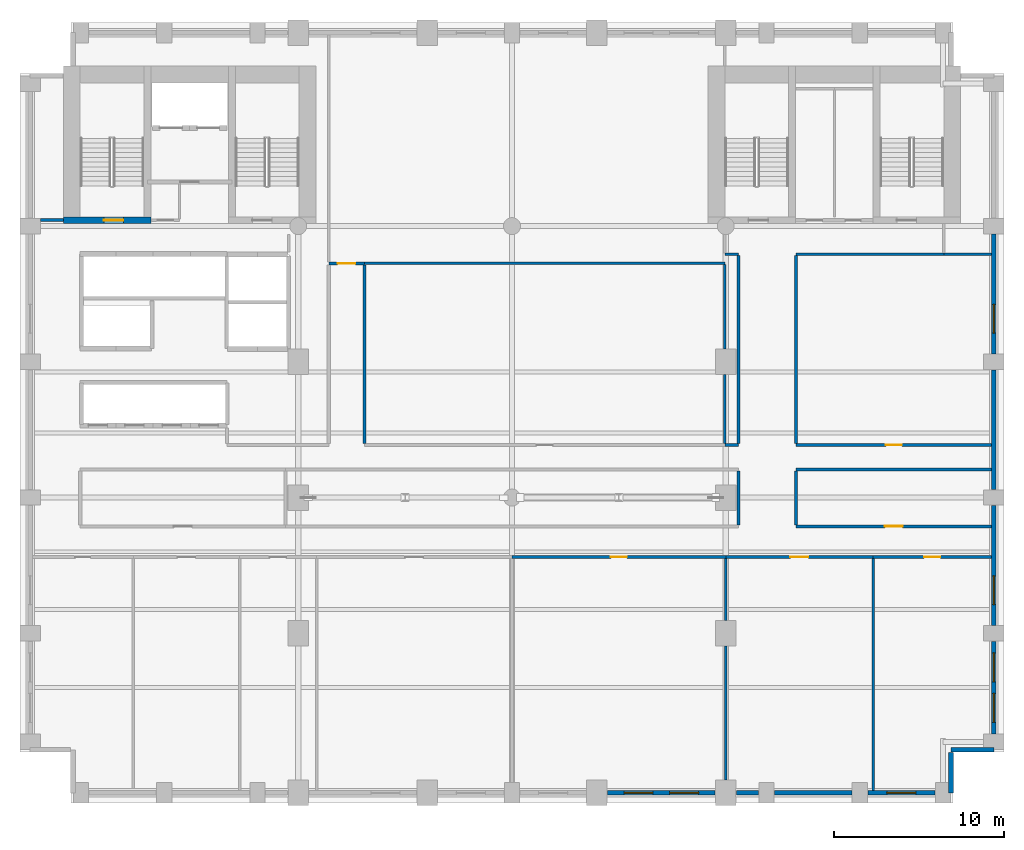
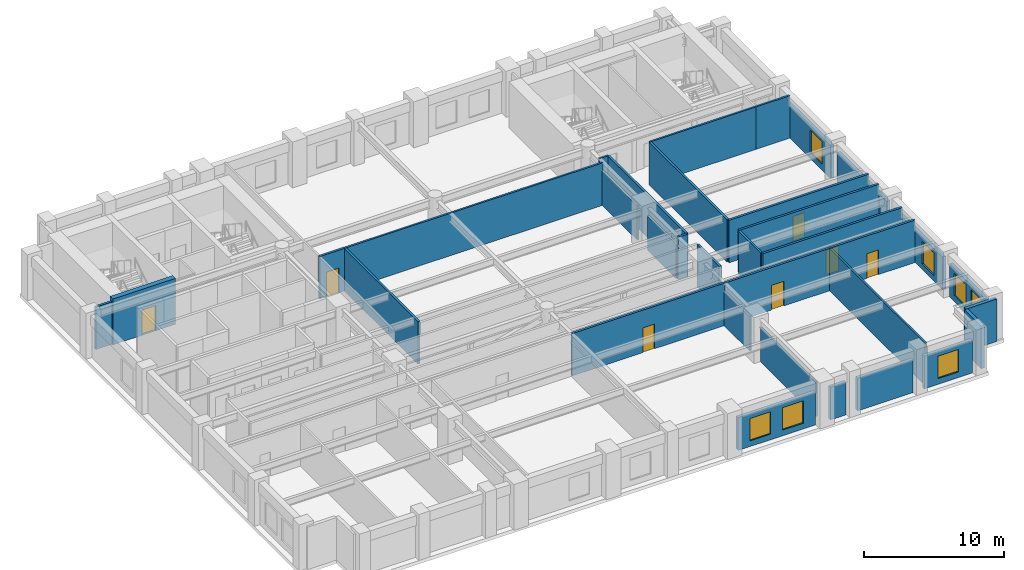
# One storey, part 6 of 10: 34 walls, 7 doors, 7 windows, 14 openings.
"""IFC4 building model written with IfcOpenShell, lengths in metres."""

from ifc_helpers import new_model, si_unit, direction, frame, frame_2d, origin, place, context, subcontext, project, spatial, rectangle, extrude, material, layer, layer_set, type_object, element, fill, save


model = new_model("IFC4")

# Units and contexts
model_context = context("Model", 3, precision=1e-05, world=origin(), true_north=direction((0.0, 1.0)))
body_context = subcontext(model_context, "Body", "Model", "MODEL_VIEW")
ifc_project = project(units=[si_unit("LENGTHUNIT", "METRE"), si_unit("AREAUNIT", "SQUARE_METRE"), si_unit("VOLUMEUNIT", "CUBIC_METRE"), si_unit("PLANEANGLEUNIT", "RADIAN"), si_unit("MASSUNIT", "GRAM", prefix="KILO")], contexts=[model_context])

# Site, building, storey
site_placement = place(None, origin())
site = spatial("IfcSite", under=ifc_project, at=site_placement, CompositionType="ELEMENT")
building_placement = place(site_placement, origin())
building = spatial("IfcBuilding", under=site, at=building_placement, Name="Sulina Concourse Tower", CompositionType="ELEMENT")
storey_placement = place(building_placement, frame((0.0, 0.0, 54.60009765625)))
storey = spatial("IfcBuildingStorey", under=building, at=storey_placement, Name="L13", CompositionType="ELEMENT", Elevation=54.60009765625)

# Walls
ifc_material_1 = material(Name="Gypsum board on steel stud", Category="steel")
ifc_layer_1 = layer(ifc_material_1, 0.14990234375)
ifc_layer_set_1 = layer_set([ifc_layer_1], Name="Gypsum board on steel stud")
wall_type_1 = type_object("IfcWallType", Name="Inter-Tenancy Acoustic Partition 150mm", PredefinedType="PARTITIONING", material=ifc_layer_set_1)
wall_1_placement = place(storey_placement, frame((20.300048828125, 31.800048828125, 0.0), z_axis=(0.0, 0.0, 1.0), x_axis=(1.0, 0.0, 0.0)))
element("IfcWall", 1, at=wall_1_placement, inside=storey, type_object=wall_type_1, Name="L13 interior partition 019", PredefinedType="PARTITIONING", context=body_context, shape_type="SweptSolid", body=[
    extrude(rectangle(XDim=21.25, YDim=0.14990234375, at=frame_2d((10.625, 0.0))), origin(), (0.0, 0.0, 1.0), 3.699951171875),
])
wall_2_placement = place(storey_placement, frame((41.550048828125, 32.35009765625, 0.0), z_axis=(0.0, 0.0, 1.0), x_axis=(1.0, 0.0, 0.0)))
element("IfcWall", 2, at=wall_2_placement, inside=storey, type_object=wall_type_1, Name="L13 interior partition 020", PredefinedType="PARTITIONING", context=body_context, shape_type="SweptSolid", body=[
    extrude(rectangle(XDim=0.800048828125, YDim=0.14990234375, at=frame_2d((0.39990234375, 0.0))), origin(), (0.0, 0.0, 1.0), 3.699951171875),
])
wall_3_placement = place(storey_placement, frame((45.75, 32.35009765625, 0.0), z_axis=(0.0, 0.0, 1.0), x_axis=(1.0, 0.0, 0.0)))
element("IfcWall", 3, at=wall_3_placement, inside=storey, type_object=wall_type_1, Name="L13 interior partition 021", PredefinedType="PARTITIONING", context=body_context, shape_type="SweptSolid", body=[
    extrude(rectangle(XDim=8.699951171875, YDim=0.14990234375, at=frame_2d((4.35009765625, 0.0))), origin(), (0.0, 0.0, 1.0), 3.699951171875),
])
wall_4_placement = place(storey_placement, frame((54.449951171875, 32.35009765625, 0.0), z_axis=(0.0, 0.0, 1.0), x_axis=(1.0, 0.0, 0.0)))
element("IfcWall", 4, at=wall_4_placement, inside=storey, type_object=wall_type_1, Name="L13 interior partition 022", PredefinedType="PARTITIONING", context=body_context, shape_type="SweptSolid", body=[
    extrude(rectangle(XDim=2.81005859375, YDim=0.14990234375, at=frame_2d((1.405029296875, 0.0))), origin(), (0.0, 0.0, 1.0), 3.699951171875),
])
wall_5_placement = place(storey_placement, frame((41.550048828125, 21.18994140625, 0.0), z_axis=(0.0, 0.0, 1.0), x_axis=(0.0, 1.0, 0.0)))
element("IfcWall", 5, at=wall_5_placement, inside=storey, type_object=wall_type_1, Name="L13 interior partition 039", PredefinedType="PARTITIONING", context=body_context, shape_type="SweptSolid", body=[
    extrude(rectangle(XDim=4.06005859375, YDim=0.14990234375, at=frame_2d((2.030029296875, 0.0))), origin(), (0.0, 0.0, 1.0), 2.994873046875),
])
wall_6_placement = place(storey_placement, frame((41.550048828125, 26.75, 0.0), z_axis=(0.0, 0.0, 1.0), x_axis=(0.0, 1.0, 0.0)))
element("IfcWall", 6, at=wall_6_placement, inside=storey, type_object=wall_type_1, Name="L13 interior partition 040", PredefinedType="PARTITIONING", context=body_context, shape_type="SweptSolid", body=[
    extrude(rectangle(XDim=4.97509765625, YDim=0.14990234375, at=frame_2d((2.487548828125, 0.0))), origin(), (0.0, 0.0, 1.0), 2.994873046875),
])
wall_7_placement = place(storey_placement, frame((41.60009765625, 1.35009765625, 0.0), z_axis=(0.0, 0.0, 1.0), x_axis=(0.0, 1.0, 0.0)))
element("IfcWall", 7, at=wall_7_placement, inside=storey, type_object=wall_type_1, Name="L13 interior partition 043", PredefinedType="PARTITIONING", context=body_context, shape_type="SweptSolid", body=[
    extrude(rectangle(XDim=7.89990234375, YDim=0.14990234375, at=frame_2d((3.949951171875, 0.0))), origin(), (0.0, 0.0, 1.0), 2.994873046875),
])
wall_8_placement = place(storey_placement, frame((41.60009765625, 10.75, 0.0), z_axis=(0.0, 0.0, 1.0), x_axis=(0.0, 1.0, 0.0)))
element("IfcWall", 8, at=wall_8_placement, inside=storey, type_object=wall_type_1, Name="L13 interior partition 044", PredefinedType="PARTITIONING", context=body_context, shape_type="SweptSolid", body=[
    extrude(rectangle(XDim=3.659912109375, YDim=0.14990234375, at=frame_2d((1.830078125, 0.0))), origin(), (0.0, 0.0, 1.0), 2.994873046875),
])
wall_9_placement = place(storey_placement, frame((50.280029296875, 0.739990234375, 0.0), z_axis=(0.0, 0.0, 1.0), x_axis=(0.0, 1.0, 0.0)))
element("IfcWall", 9, at=wall_9_placement, inside=storey, type_object=wall_type_1, Name="L13 interior partition 050", PredefinedType="PARTITIONING", context=body_context, shape_type="SweptSolid", body=[
    extrude(rectangle(XDim=13.669921875, YDim=0.14990234375, at=frame_2d((6.8349609375, 0.0))), origin(), (0.0, 0.0, 1.0), 3.699951171875),
])

# Wall, opening, door
ifc_material_2 = material(Name="Gypsum board on steel stud", Category="steel")
ifc_layer_2 = layer(ifc_material_2, 0.179931640625)
ifc_layer_set_2 = layer_set([ifc_layer_2], Name="Gypsum board on steel stud")
wall_type_2 = type_object("IfcWallType", Name="Protected Corridor & Riser Partition 180mm", PredefinedType="PARTITIONING", material=ifc_layer_set_2)
wall_10_placement = place(storey_placement, frame((29.0, 14.5, 0.0), z_axis=(0.0, 0.0, 1.0), x_axis=(1.0, 0.0, 0.0)))
wall_10 = element("IfcWall", 10, at=wall_10_placement, inside=storey, type_object=wall_type_2, Name="L13 interior partition 005", PredefinedType="PARTITIONING", context=body_context, shape_type="SweptSolid", body=[
    extrude(rectangle(XDim=12.60009765625, YDim=0.179931640625, at=frame_2d((6.300048828125, 0.0))), origin(), (0.0, 0.0, 1.0), 3.699951171875),
])
opening_1_placement = place(wall_10_placement, frame((5.824951171875, 0.0, 0.0)))
opening_1 = element("IfcOpeningElement", 11, at=opening_1_placement, cuts=wall_10, Name="Opening DR-19", PredefinedType="OPENING", context=body_context, shape_type="SweptSolid", body=[
    extrude(rectangle(XDim=0.949951171875, YDim=2.14990234375, at=frame_2d((0.47509765625, 1.074951171875))), frame((0.0, 0.099853515625, 0.0), z_axis=(0.0, -1.0, 0.0), x_axis=(1.0, 0.0, 0.0)), (0.0, 0.0, 1.0), 0.199951171875),
])
ifc_material_3 = material(Name="Oak-veneered acoustic timber leaf", Category="wood")
ifc_layer_3 = layer(ifc_material_3, 0.050048828125)
ifc_layer_set_3 = layer_set([ifc_layer_3], Name="Oak-veneered acoustic timber leaf")
door_type_1 = type_object("IfcDoorType", Name="Cellular Office & Meeting Door 950x2150", OperationType="NOTDEFINED", PredefinedType="DOOR", material=ifc_layer_set_3)
door_1_placement = place(opening_1_placement, origin())
door_1 = element("IfcDoor", 12, at=door_1_placement, inside=storey, type_object=door_type_1, Name="L13 interior door L13-S04", OperationType="SINGLE_SWING_LEFT", OverallHeight=2.14990234375, OverallWidth=0.949951171875, PredefinedType="DOOR", context=body_context, shape_type="SweptSolid", body=[
    extrude(rectangle(XDim=0.949951171875, YDim=2.14990234375, at=frame_2d((0.47509765625, 1.074951171875))), frame((0.0, 0.02490234375, 0.0), z_axis=(0.0, -1.0, 0.0), x_axis=(1.0, 0.0, 0.0)), (0.0, 0.0, 1.0), 0.050048828125),
])
fill(opening_1, door_1)

wall_11_placement = place(storey_placement, frame((41.60009765625, 14.5, 0.0), z_axis=(0.0, 0.0, 1.0), x_axis=(1.0, 0.0, 0.0)))
wall_11 = element("IfcWall", 13, at=wall_11_placement, inside=storey, type_object=wall_type_2, Name="L13 interior partition 006", PredefinedType="PARTITIONING", context=body_context, shape_type="SweptSolid", body=[
    extrude(rectangle(XDim=8.679931640625, YDim=0.179931640625, at=frame_2d((4.33984375, 0.0))), origin(), (0.0, 0.0, 1.0), 3.699951171875),
])
opening_2_placement = place(wall_11_placement, frame((3.81494140625, 0.0, 0.0)))
opening_2 = element("IfcOpeningElement", 14, at=opening_2_placement, cuts=wall_11, Name="Opening DR-37", PredefinedType="OPENING", context=body_context, shape_type="SweptSolid", body=[
    extrude(rectangle(XDim=1.050048828125, YDim=2.14990234375, at=frame_2d((0.52490234375, 1.074951171875))), frame((0.0, 0.099853515625, 0.0), z_axis=(0.0, -1.0, 0.0), x_axis=(1.0, 0.0, 0.0)), (0.0, 0.0, 1.0), 0.199951171875),
])
ifc_material_4 = material(Name="Oak-veneered fire door leaf")
ifc_layer_4 = layer(ifc_material_4, 0.050048828125)
ifc_layer_set_4 = layer_set([ifc_layer_4], Name="Oak-veneered fire door leaf")
door_type_2 = type_object("IfcDoorType", Name="Tenant Suite Entrance Fire Door 1050x2150", OperationType="NOTDEFINED", PredefinedType="DOOR", material=ifc_layer_set_4)
door_2_placement = place(opening_2_placement, origin())
door_2 = element("IfcDoor", 15, at=door_2_placement, inside=storey, type_object=door_type_2, Name="L13 interior door L13-S05", OperationType="SINGLE_SWING_RIGHT", OverallHeight=2.14990234375, OverallWidth=1.050048828125, PredefinedType="DOOR", context=body_context, shape_type="SweptSolid", body=[
    extrude(rectangle(XDim=1.050048828125, YDim=2.14990234375, at=frame_2d((0.52490234375, 1.074951171875))), frame((0.0, 0.02490234375, 0.0), z_axis=(0.0, -1.0, 0.0), x_axis=(1.0, 0.0, 0.0)), (0.0, 0.0, 1.0), 0.050048828125),
])
fill(opening_2, door_2)

wall_12_placement = place(storey_placement, frame((50.280029296875, 14.5, 0.0), z_axis=(0.0, 0.0, 1.0), x_axis=(1.0, 0.0, 0.0)))
wall_12 = element("IfcWall", 16, at=wall_12_placement, inside=storey, type_object=wall_type_2, Name="L13 interior partition 007", PredefinedType="PARTITIONING", context=body_context, shape_type="SweptSolid", body=[
    extrude(rectangle(XDim=6.97998046875, YDim=0.179931640625, at=frame_2d((3.489990234375, 0.0))), origin(), (0.0, 0.0, 1.0), 3.699951171875),
])
opening_3_placement = place(wall_12_placement, frame((3.014892578125, 0.0, 0.0)))
opening_3 = element("IfcOpeningElement", 17, at=opening_3_placement, cuts=wall_12, Name="Opening DR-19", PredefinedType="OPENING", context=body_context, shape_type="SweptSolid", body=[
    extrude(rectangle(XDim=0.949951171875, YDim=2.14990234375, at=frame_2d((0.47509765625, 1.074951171875))), frame((0.0, 0.099853515625, 0.0), z_axis=(0.0, -1.0, 0.0), x_axis=(1.0, 0.0, 0.0)), (0.0, 0.0, 1.0), 0.199951171875),
])
door_3_placement = place(opening_3_placement, origin())
door_3 = element("IfcDoor", 18, at=door_3_placement, inside=storey, type_object=door_type_1, Name="L13 interior door L13-S06", OperationType="SINGLE_SWING_LEFT", OverallHeight=2.14990234375, OverallWidth=0.949951171875, PredefinedType="DOOR", context=body_context, shape_type="SweptSolid", body=[
    extrude(rectangle(XDim=0.949951171875, YDim=2.14990234375, at=frame_2d((0.47509765625, 1.074951171875))), frame((0.0, 0.02490234375, 0.0), z_axis=(0.0, -1.0, 0.0), x_axis=(1.0, 0.0, 0.0)), (0.0, 0.0, 1.0), 0.050048828125),
])
fill(opening_3, door_3)

wall_13_placement = place(storey_placement, frame((45.75, 16.300048828125, 0.0), z_axis=(0.0, 0.0, 1.0), x_axis=(1.0, 0.0, 0.0)))
wall_13 = element("IfcWall", 19, at=wall_13_placement, inside=storey, type_object=wall_type_2, Name="L13 interior partition 010", PredefinedType="PARTITIONING", context=body_context, shape_type="SweptSolid", body=[
    extrude(rectangle(XDim=11.510009765625, YDim=0.179931640625, at=frame_2d((5.7548828125, 0.0))), origin(), (0.0, 0.0, 1.0), 3.699951171875),
])
opening_4_placement = place(wall_13_placement, frame((5.22998046875, 0.0, 0.0)))
opening_4 = element("IfcOpeningElement", 20, at=opening_4_placement, cuts=wall_13, Name="Opening DR-37", PredefinedType="OPENING", context=body_context, shape_type="SweptSolid", body=[
    extrude(rectangle(XDim=1.050048828125, YDim=2.14990234375, at=frame_2d((0.52490234375, 1.074951171875))), frame((0.0, 0.099853515625, 0.0), z_axis=(0.0, -1.0, 0.0), x_axis=(1.0, 0.0, 0.0)), (0.0, 0.0, 1.0), 0.199951171875),
])
door_4_placement = place(opening_4_placement, origin())
door_4 = element("IfcDoor", 21, at=door_4_placement, inside=storey, type_object=door_type_2, Name="L13 interior door L13-OFF-LBTE", OperationType="SINGLE_SWING_LEFT", OverallHeight=2.14990234375, OverallWidth=1.050048828125, PredefinedType="DOOR", context=body_context, shape_type="SweptSolid", body=[
    extrude(rectangle(XDim=1.050048828125, YDim=2.14990234375, at=frame_2d((0.52490234375, 1.074951171875))), frame((0.0, 0.02490234375, 0.0), z_axis=(0.0, -1.0, 0.0), x_axis=(1.0, 0.0, 0.0)), (0.0, 0.0, 1.0), 0.050048828125),
])
fill(opening_4, door_4)

# Walls
wall_14_placement = place(storey_placement, frame((45.75, 19.64990234375, 0.0), z_axis=(0.0, 0.0, 1.0), x_axis=(1.0, 0.0, 0.0)))
element("IfcWall", 22, at=wall_14_placement, inside=storey, type_object=wall_type_2, Name="L13 interior partition 013", PredefinedType="PARTITIONING", context=body_context, shape_type="SweptSolid", body=[
    extrude(rectangle(XDim=11.510009765625, YDim=0.179931640625, at=frame_2d((5.7548828125, 0.0))), origin(), (0.0, 0.0, 1.0), 3.699951171875),
])
wall_15_placement = place(storey_placement, frame((41.550048828125, 21.10009765625, 0.0), z_axis=(0.0, 0.0, 1.0), x_axis=(1.0, 0.0, 0.0)))
element("IfcWall", 23, at=wall_15_placement, inside=storey, type_object=wall_type_2, Name="L13 interior partition 016", PredefinedType="PARTITIONING", context=body_context, shape_type="SweptSolid", body=[
    extrude(rectangle(XDim=0.800048828125, YDim=0.179931640625, at=frame_2d((0.39990234375, 0.0))), origin(), (0.0, 0.0, 1.0), 3.699951171875),
])

# Wall, opening, door
wall_16_placement = place(storey_placement, frame((45.75, 21.10009765625, 0.0), z_axis=(0.0, 0.0, 1.0), x_axis=(1.0, 0.0, 0.0)))
wall_16 = element("IfcWall", 24, at=wall_16_placement, inside=storey, type_object=wall_type_2, Name="L13 interior partition 017", PredefinedType="PARTITIONING", context=body_context, shape_type="SweptSolid", body=[
    extrude(rectangle(XDim=11.510009765625, YDim=0.179931640625, at=frame_2d((5.7548828125, 0.0))), origin(), (0.0, 0.0, 1.0), 3.699951171875),
])
opening_5_placement = place(wall_16_placement, frame((5.280029296875, 0.0, 0.0)))
opening_5 = element("IfcOpeningElement", 25, at=opening_5_placement, cuts=wall_16, Name="Opening DR-19", PredefinedType="OPENING", context=body_context, shape_type="SweptSolid", body=[
    extrude(rectangle(XDim=0.949951171875, YDim=2.14990234375, at=frame_2d((0.47509765625, 1.074951171875))), frame((0.0, 0.099853515625, 0.0), z_axis=(0.0, -1.0, 0.0), x_axis=(1.0, 0.0, 0.0)), (0.0, 0.0, 1.0), 0.199951171875),
])
door_5_placement = place(opening_5_placement, origin())
door_5 = element("IfcDoor", 26, at=door_5_placement, inside=storey, type_object=door_type_1, Name="L13 interior door L13-NE1", OperationType="SINGLE_SWING_LEFT", OverallHeight=2.14990234375, OverallWidth=0.949951171875, PredefinedType="DOOR", context=body_context, shape_type="SweptSolid", body=[
    extrude(rectangle(XDim=0.949951171875, YDim=2.14990234375, at=frame_2d((0.47509765625, 1.074951171875))), frame((0.0, 0.02490234375, 0.0), z_axis=(0.0, -1.0, 0.0), x_axis=(1.0, 0.0, 0.0)), (0.0, 0.0, 1.0), 0.050048828125),
])
fill(opening_5, door_5)

wall_17_placement = place(storey_placement, frame((18.199951171875, 31.800048828125, 0.0), z_axis=(0.0, 0.0, 1.0), x_axis=(1.0, 0.0, 0.0)))
wall_17 = element("IfcWall", 27, at=wall_17_placement, inside=storey, type_object=wall_type_2, Name="L13 interior partition 018", PredefinedType="PARTITIONING", context=body_context, shape_type="SweptSolid", body=[
    extrude(rectangle(XDim=2.10009765625, YDim=0.179931640625, at=frame_2d((1.050048828125, 0.0))), origin(), (0.0, 0.0, 1.0), 3.699951171875),
])
opening_6_placement = place(wall_17_placement, frame((0.52490234375, 0.0, 0.0)))
opening_6 = element("IfcOpeningElement", 28, at=opening_6_placement, cuts=wall_17, Name="Opening DR-37", PredefinedType="OPENING", context=body_context, shape_type="SweptSolid", body=[
    extrude(rectangle(XDim=1.050048828125, YDim=2.14990234375, at=frame_2d((0.52490234375, 1.074951171875))), frame((0.0, 0.099853515625, 0.0), z_axis=(0.0, -1.0, 0.0), x_axis=(1.0, 0.0, 0.0)), (0.0, 0.0, 1.0), 0.199951171875),
])
door_6_placement = place(opening_6_placement, origin())
door_6 = element("IfcDoor", 29, at=door_6_placement, inside=storey, type_object=door_type_2, Name="L13 interior door L13-NC4", OperationType="SINGLE_SWING_RIGHT", OverallHeight=2.14990234375, OverallWidth=1.050048828125, PredefinedType="DOOR", context=body_context, shape_type="SweptSolid", body=[
    extrude(rectangle(XDim=1.050048828125, YDim=2.14990234375, at=frame_2d((0.52490234375, 1.074951171875))), frame((0.0, 0.02490234375, 0.0), z_axis=(0.0, -1.0, 0.0), x_axis=(1.0, 0.0, 0.0)), (0.0, 0.0, 1.0), 0.050048828125),
])
fill(opening_6, door_6)

# Walls
wall_18_placement = place(storey_placement, frame((1.199951171875, 34.35009765625, 0.0), z_axis=(0.0, 0.0, 1.0), x_axis=(1.0, 0.0, 0.0)))
element("IfcWall", 30, at=wall_18_placement, inside=storey, type_object=wall_type_2, Name="L13 interior partition 023", PredefinedType="PARTITIONING", context=body_context, shape_type="SweptSolid", body=[
    extrude(rectangle(XDim=1.35009765625, YDim=0.179931640625, at=frame_2d((0.675048828125, 0.0))), origin(), (0.0, 0.0, 1.0), 3.699951171875),
])
wall_19_placement = place(storey_placement, frame((20.300048828125, 21.18994140625, 0.0), z_axis=(0.0, 0.0, 1.0), x_axis=(0.0, 1.0, 0.0)))
element("IfcWall", 31, at=wall_19_placement, inside=storey, type_object=wall_type_2, Name="L13 interior partition 037", PredefinedType="PARTITIONING", context=body_context, shape_type="SweptSolid", body=[
    extrude(rectangle(XDim=10.52001953125, YDim=0.179931640625, at=frame_2d((5.260009765625, 0.0))), origin(), (0.0, 0.0, 1.0), 3.699951171875),
])
wall_20_placement = place(storey_placement, frame((42.35009765625, 16.389892578125, 0.0), z_axis=(0.0, 0.0, 1.0), x_axis=(0.0, 1.0, 0.0)))
element("IfcWall", 32, at=wall_20_placement, inside=storey, type_object=wall_type_2, Name="L13 interior partition 045", PredefinedType="PARTITIONING", context=body_context, shape_type="SweptSolid", body=[
    extrude(rectangle(XDim=3.170166015625, YDim=0.179931640625, at=frame_2d((1.5849609375, 0.0))), origin(), (0.0, 0.0, 1.0), 3.699951171875),
])
wall_21_placement = place(storey_placement, frame((42.35009765625, 21.18994140625, 0.0), z_axis=(0.0, 0.0, 1.0), x_axis=(0.0, 1.0, 0.0)))
element("IfcWall", 33, at=wall_21_placement, inside=storey, type_object=wall_type_2, Name="L13 interior partition 046", PredefinedType="PARTITIONING", context=body_context, shape_type="SweptSolid", body=[
    extrude(rectangle(XDim=11.0849609375, YDim=0.179931640625, at=frame_2d((5.54248046875, 0.0))), origin(), (0.0, 0.0, 1.0), 3.699951171875),
])
wall_22_placement = place(storey_placement, frame((45.75, 16.389892578125, 0.0), z_axis=(0.0, 0.0, 1.0), x_axis=(0.0, 1.0, 0.0)))
element("IfcWall", 34, at=wall_22_placement, inside=storey, type_object=wall_type_2, Name="L13 interior partition 047", PredefinedType="PARTITIONING", context=body_context, shape_type="SweptSolid", body=[
    extrude(rectangle(XDim=3.170166015625, YDim=0.179931640625, at=frame_2d((1.5849609375, 0.0))), origin(), (0.0, 0.0, 1.0), 3.699951171875),
])
wall_23_placement = place(storey_placement, frame((45.75, 21.18994140625, 0.0), z_axis=(0.0, 0.0, 1.0), x_axis=(0.0, 1.0, 0.0)))
element("IfcWall", 35, at=wall_23_placement, inside=storey, type_object=wall_type_2, Name="L13 interior partition 048", PredefinedType="PARTITIONING", context=body_context, shape_type="SweptSolid", body=[
    extrude(rectangle(XDim=11.0849609375, YDim=0.179931640625, at=frame_2d((5.54248046875, 0.0))), origin(), (0.0, 0.0, 1.0), 3.699951171875),
])

# Wall, opening, door
ifc_material_5 = material(Name="Concrete C60/75", Category="concrete")
ifc_layer_5 = layer(ifc_material_5, 0.39990234375)
ifc_layer_set_5 = layer_set([ifc_layer_5], Name="Concrete C60/75")
wall_type_3 = type_object("IfcWallType", Name="Protected Stair Core Shear Wall 400mm", PredefinedType="SHEAR", material=ifc_layer_set_5)
wall_24_placement = place(storey_placement, frame((2.550048828125, 34.35009765625, 0.0), z_axis=(0.0, 0.0, 1.0), x_axis=(1.0, 0.0, 0.0)))
wall_24 = element("IfcWall", 36, at=wall_24_placement, inside=storey, type_object=wall_type_3, Name="L13 west core shear wall CW-WS1", PredefinedType="SHEAR", context=body_context, shape_type="SweptSolid", body=[
    extrude(rectangle(XDim=5.159912109375, YDim=0.39990234375, at=frame_2d((2.580078125, 0.0))), origin(), (0.0, 0.0, 1.0), 4.0),
])
opening_7_placement = place(wall_24_placement, frame((2.39990234375, 0.0, 0.0)))
opening_7 = element("IfcOpeningElement", 37, at=opening_7_placement, cuts=wall_24, Name="Opening DR-60", PredefinedType="OPENING", context=body_context, shape_type="SweptSolid", body=[
    extrude(rectangle(XDim=1.14990234375, YDim=2.199951171875, at=frame_2d((0.574951171875, 1.10009765625))), frame((0.0, 0.2099609375, 0.0), z_axis=(0.0, -1.0, 0.0), x_axis=(1.0, 0.0, 0.0)), (0.0, 0.0, 1.0), 0.419921875),
])
ifc_material_6 = material(Name="Galvanised steel acoustic fire leaf", Category="steel")
ifc_layer_6 = layer(ifc_material_6, 0.054931640625)
ifc_layer_set_6 = layer_set([ifc_layer_6], Name="Galvanised steel acoustic fire leaf")
door_type_3 = type_object("IfcDoorType", Name="Protected Exit Stair Fire Door 1150x2200", OperationType="NOTDEFINED", PredefinedType="DOOR", material=ifc_layer_set_6)
door_7_placement = place(opening_7_placement, origin())
door_7 = element("IfcDoor", 38, at=door_7_placement, inside=storey, type_object=door_type_3, Name="L13 stair ST-1 lobby fire door", OperationType="SINGLE_SWING_RIGHT", OverallHeight=2.199951171875, OverallWidth=1.14990234375, PredefinedType="DOOR", context=body_context, shape_type="SweptSolid", body=[
    extrude(rectangle(XDim=1.14990234375, YDim=2.199951171875, at=frame_2d((0.574951171875, 1.10009765625))), frame((0.0, 0.02490234375, 0.0), z_axis=(0.0, -1.0, 0.0), x_axis=(1.0, 0.0, 0.0)), (0.0, 0.0, 1.0), 0.050048828125),
])
fill(opening_7, door_7)

# Wall, openings, windows
ifc_material_7 = material(Name="Precast concrete C50/60", Category="concrete")
ifc_layer_7 = layer(ifc_material_7, 0.280029296875)
ifc_layer_set_7 = layer_set([ifc_layer_7], Name="Precast concrete C50/60")
wall_type_4 = type_object("IfcWallType", Name="Typical Precast Masonry-Frame Facade Wall 280mm", PredefinedType="SOLIDWALL", material=ifc_layer_set_7)
wall_25_placement = place(storey_placement, frame((40.97998046875, 0.60009765625, 0.0), z_axis=(0.0, 0.0, 1.0), x_axis=(-1.0, 0.0, 0.0)))
wall_25 = element("IfcWall", 39, at=wall_25_placement, inside=storey, type_object=wall_type_4, Name="L13 exterior precast wall S7", PredefinedType="SOLIDWALL", context=body_context, shape_type="SweptSolid", body=[
    extrude(rectangle(XDim=6.35986328125, YDim=0.280029296875, at=frame_2d((3.179931640625, 0.0))), origin(), (0.0, 0.0, 1.0), 2.849853515625),
])
opening_8_placement = place(wall_25_placement, frame((0.98681640625, 0.0, 0.5)))
opening_8 = element("IfcOpeningElement", 40, at=opening_8_placement, cuts=wall_25, Name="Opening WN-66", PredefinedType="OPENING", context=body_context, shape_type="SweptSolid", body=[
    extrude(rectangle(XDim=1.699951171875, YDim=1.949951171875, at=frame_2d((0.85009765625, 0.97509765625))), frame((0.0, 0.14990234375, 0.0), z_axis=(0.0, -1.0, 0.0), x_axis=(1.0, 0.0, 0.0)), (0.0, 0.0, 1.0), 0.300048828125),
])
opening_9_placement = place(wall_25_placement, frame((3.67333984375, 0.0, 0.5)))
opening_9 = element("IfcOpeningElement", 41, at=opening_9_placement, cuts=wall_25, Name="Opening WN-66", PredefinedType="OPENING", context=body_context, shape_type="SweptSolid", body=[
    extrude(rectangle(XDim=1.699951171875, YDim=1.949951171875, at=frame_2d((0.85009765625, 0.97509765625))), frame((0.0, 0.14990234375, 0.0), z_axis=(0.0, -1.0, 0.0), x_axis=(1.0, 0.0, 0.0)), (0.0, 0.0, 1.0), 0.300048828125),
])
ifc_material_8 = material(Name="Low-E solar double glazing in bronze aluminium", Category="aluminium")
window_type = type_object("IfcWindowType", Name="Recessed Spandrel Window 1700x1950", PartitioningType="SINGLE_PANEL", PredefinedType="WINDOW", material=ifc_material_8)
window_1_placement = place(opening_8_placement, origin())
window_1 = element("IfcWindow", 42, at=window_1_placement, inside=storey, type_object=window_type, Name="L13 punched window S7-1", OverallHeight=1.949951171875, OverallWidth=1.699951171875, PartitioningType="SINGLE_PANEL", PredefinedType="WINDOW", context=body_context, shape_type="SweptSolid", body=[
    extrude(rectangle(XDim=1.699951171875, YDim=1.949951171875, at=frame_2d((0.85009765625, 0.97509765625))), frame((0.0, 0.030029296875, 0.0), z_axis=(0.0, -1.0, 0.0), x_axis=(1.0, 0.0, 0.0)), (0.0, 0.0, 1.0), 0.06005859375),
])
fill(opening_8, window_1)
window_2_placement = place(opening_9_placement, origin())
window_2 = element("IfcWindow", 43, at=window_2_placement, inside=storey, type_object=window_type, Name="L13 punched window S7-2", OverallHeight=1.949951171875, OverallWidth=1.699951171875, PartitioningType="SINGLE_PANEL", PredefinedType="WINDOW", context=body_context, shape_type="SweptSolid", body=[
    extrude(rectangle(XDim=1.699951171875, YDim=1.949951171875, at=frame_2d((0.85009765625, 0.97509765625))), frame((0.0, 0.030029296875, 0.0), z_axis=(0.0, -1.0, 0.0), x_axis=(1.0, 0.0, 0.0)), (0.0, 0.0, 1.0), 0.06005859375),
])
fill(opening_9, window_2)

# Walls
wall_26_placement = place(storey_placement, frame((43.530029296875, 0.60009765625, 0.0), z_axis=(0.0, 0.0, 1.0), x_axis=(-1.0, 0.0, 0.0)))
element("IfcWall", 44, at=wall_26_placement, inside=storey, type_object=wall_type_4, Name="L13 exterior precast wall S8", PredefinedType="SOLIDWALL", context=body_context, shape_type="SweptSolid", body=[
    extrude(rectangle(XDim=1.31005859375, YDim=0.280029296875, at=frame_2d((0.655029296875, 0.0))), origin(), (0.0, 0.0, 1.0), 2.849853515625),
])
wall_27_placement = place(storey_placement, frame((49.030029296875, 0.60009765625, 0.0), z_axis=(0.0, 0.0, 1.0), x_axis=(-1.0, 0.0, 0.0)))
element("IfcWall", 45, at=wall_27_placement, inside=storey, type_object=wall_type_4, Name="L13 exterior precast wall S9", PredefinedType="SOLIDWALL", context=body_context, shape_type="SweptSolid", body=[
    extrude(rectangle(XDim=4.56005859375, YDim=0.280029296875, at=frame_2d((2.280029296875, 0.0))), origin(), (0.0, 0.0, 1.0), 2.849853515625),
])

# Wall, opening, window
wall_28_placement = place(storey_placement, frame((53.929931640625, 0.60009765625, 0.0), z_axis=(0.0, 0.0, 1.0), x_axis=(-1.0, 0.0, 0.0)))
wall_28 = element("IfcWall", 46, at=wall_28_placement, inside=storey, type_object=wall_type_4, Name="L13 exterior precast wall S10", PredefinedType="SOLIDWALL", context=body_context, shape_type="SweptSolid", body=[
    extrude(rectangle(XDim=3.9599609375, YDim=0.280029296875, at=frame_2d((1.97998046875, 0.0))), origin(), (0.0, 0.0, 1.0), 2.849853515625),
])
opening_10_placement = place(wall_28_placement, frame((1.1298828125, 0.0, 0.5)))
opening_10 = element("IfcOpeningElement", 47, at=opening_10_placement, cuts=wall_28, Name="Opening WN-66", PredefinedType="OPENING", context=body_context, shape_type="SweptSolid", body=[
    extrude(rectangle(XDim=1.699951171875, YDim=1.949951171875, at=frame_2d((0.85009765625, 0.97509765625))), frame((0.0, 0.14990234375, 0.0), z_axis=(0.0, -1.0, 0.0), x_axis=(1.0, 0.0, 0.0)), (0.0, 0.0, 1.0), 0.300048828125),
])
window_3_placement = place(opening_10_placement, origin())
window_3 = element("IfcWindow", 48, at=window_3_placement, inside=storey, type_object=window_type, Name="L13 punched window S10-1", OverallHeight=1.949951171875, OverallWidth=1.699951171875, PartitioningType="SINGLE_PANEL", PredefinedType="WINDOW", context=body_context, shape_type="SweptSolid", body=[
    extrude(rectangle(XDim=1.699951171875, YDim=1.949951171875, at=frame_2d((0.85009765625, 0.97509765625))), frame((0.0, 0.030029296875, 0.0), z_axis=(0.0, -1.0, 0.0), x_axis=(1.0, 0.0, 0.0)), (0.0, 0.0, 1.0), 0.06005859375),
])
fill(opening_10, window_3)

# Wall, openings, windows
wall_29_placement = place(storey_placement, frame((57.39990234375, 9.530029296875, 0.0), z_axis=(0.0, 0.0, 1.0), x_axis=(0.0, -1.0, 0.0)))
wall_29 = element("IfcWall", 49, at=wall_29_placement, inside=storey, type_object=wall_type_4, Name="L13 exterior precast wall E1", PredefinedType="SOLIDWALL", context=body_context, shape_type="SweptSolid", body=[
    extrude(rectangle(XDim=5.4599609375, YDim=0.280029296875, at=frame_2d((2.72998046875, 0.0))), origin(), (0.0, 0.0, 1.0), 2.849853515625),
])
opening_11_placement = place(wall_29_placement, frame((0.686767578125, 0.0, 0.5)))
opening_11 = element("IfcOpeningElement", 50, at=opening_11_placement, cuts=wall_29, Name="Opening WN-66", PredefinedType="OPENING", context=body_context, shape_type="SweptSolid", body=[
    extrude(rectangle(XDim=1.699951171875, YDim=1.949951171875, at=frame_2d((0.85009765625, 0.97509765625))), frame((0.0, 0.14990234375, 0.0), z_axis=(0.0, -1.0, 0.0), x_axis=(1.0, 0.0, 0.0)), (0.0, 0.0, 1.0), 0.300048828125),
])
opening_12_placement = place(wall_29_placement, frame((3.0732421875, 0.0, 0.5)))
opening_12 = element("IfcOpeningElement", 51, at=opening_12_placement, cuts=wall_29, Name="Opening WN-66", PredefinedType="OPENING", context=body_context, shape_type="SweptSolid", body=[
    extrude(rectangle(XDim=1.699951171875, YDim=1.949951171875, at=frame_2d((0.85009765625, 0.97509765625))), frame((0.0, 0.14990234375, 0.0), z_axis=(0.0, -1.0, 0.0), x_axis=(1.0, 0.0, 0.0)), (0.0, 0.0, 1.0), 0.300048828125),
])
window_4_placement = place(opening_11_placement, origin())
window_4 = element("IfcWindow", 52, at=window_4_placement, inside=storey, type_object=window_type, Name="L13 punched window E1-1", OverallHeight=1.949951171875, OverallWidth=1.699951171875, PartitioningType="SINGLE_PANEL", PredefinedType="WINDOW", context=body_context, shape_type="SweptSolid", body=[
    extrude(rectangle(XDim=1.699951171875, YDim=1.949951171875, at=frame_2d((0.85009765625, 0.97509765625))), frame((0.0, 0.030029296875, 0.0), z_axis=(0.0, -1.0, 0.0), x_axis=(1.0, 0.0, 0.0)), (0.0, 0.0, 1.0), 0.06005859375),
])
fill(opening_11, window_4)
window_5_placement = place(opening_12_placement, origin())
window_5 = element("IfcWindow", 53, at=window_5_placement, inside=storey, type_object=window_type, Name="L13 punched window E1-2", OverallHeight=1.949951171875, OverallWidth=1.699951171875, PartitioningType="SINGLE_PANEL", PredefinedType="WINDOW", context=body_context, shape_type="SweptSolid", body=[
    extrude(rectangle(XDim=1.699951171875, YDim=1.949951171875, at=frame_2d((0.85009765625, 0.97509765625))), frame((0.0, 0.030029296875, 0.0), z_axis=(0.0, -1.0, 0.0), x_axis=(1.0, 0.0, 0.0)), (0.0, 0.0, 1.0), 0.06005859375),
])
fill(opening_12, window_5)

# Wall, opening, window
wall_30_placement = place(storey_placement, frame((57.39990234375, 17.530029296875, 0.0), z_axis=(0.0, 0.0, 1.0), x_axis=(0.0, -1.0, 0.0)))
wall_30 = element("IfcWall", 54, at=wall_30_placement, inside=storey, type_object=wall_type_4, Name="L13 exterior precast wall E2", PredefinedType="SOLIDWALL", context=body_context, shape_type="SweptSolid", body=[
    extrude(rectangle(XDim=7.06005859375, YDim=0.280029296875, at=frame_2d((3.530029296875, 0.0))), origin(), (0.0, 0.0, 1.0), 2.849853515625),
])
opening_13_placement = place(wall_30_placement, frame((4.139892578125, 0.0, 0.5)))
opening_13 = element("IfcOpeningElement", 55, at=opening_13_placement, cuts=wall_30, Name="Opening WN-66", PredefinedType="OPENING", context=body_context, shape_type="SweptSolid", body=[
    extrude(rectangle(XDim=1.699951171875, YDim=1.949951171875, at=frame_2d((0.85009765625, 0.97509765625))), frame((0.0, 0.14990234375, 0.0), z_axis=(0.0, -1.0, 0.0), x_axis=(1.0, 0.0, 0.0)), (0.0, 0.0, 1.0), 0.300048828125),
])
window_6_placement = place(opening_13_placement, origin())
window_6 = element("IfcWindow", 56, at=window_6_placement, inside=storey, type_object=window_type, Name="L13 punched window E2-1", OverallHeight=1.949951171875, OverallWidth=1.699951171875, PartitioningType="SINGLE_PANEL", PredefinedType="WINDOW", context=body_context, shape_type="SweptSolid", body=[
    extrude(rectangle(XDim=1.699951171875, YDim=1.949951171875, at=frame_2d((0.85009765625, 0.97509765625))), frame((0.0, 0.030029296875, 0.0), z_axis=(0.0, -1.0, 0.0), x_axis=(1.0, 0.0, 0.0)), (0.0, 0.0, 1.0), 0.06005859375),
])
fill(opening_13, window_6)

# Wall
wall_31_placement = place(storey_placement, frame((57.39990234375, 25.530029296875, 0.0), z_axis=(0.0, 0.0, 1.0), x_axis=(0.0, -1.0, 0.0)))
element("IfcWall", 57, at=wall_31_placement, inside=storey, type_object=wall_type_4, Name="L13 exterior precast wall E3", PredefinedType="SOLIDWALL", context=body_context, shape_type="SweptSolid", body=[
    extrude(rectangle(XDim=7.06005859375, YDim=0.280029296875, at=frame_2d((3.530029296875, 0.0))), origin(), (0.0, 0.0, 1.0), 2.849853515625),
])

# Wall, opening, window
wall_32_placement = place(storey_placement, frame((57.39990234375, 33.530029296875, 0.0), z_axis=(0.0, 0.0, 1.0), x_axis=(0.0, -1.0, 0.0)))
wall_32 = element("IfcWall", 58, at=wall_32_placement, inside=storey, type_object=wall_type_4, Name="L13 exterior precast wall E4", PredefinedType="SOLIDWALL", context=body_context, shape_type="SweptSolid", body=[
    extrude(rectangle(XDim=7.06005859375, YDim=0.280029296875, at=frame_2d((3.530029296875, 0.0))), origin(), (0.0, 0.0, 1.0), 2.849853515625),
])
opening_14_placement = place(wall_32_placement, frame((4.139892578125, 0.0, 0.5)))
opening_14 = element("IfcOpeningElement", 59, at=opening_14_placement, cuts=wall_32, Name="Opening WN-66", PredefinedType="OPENING", context=body_context, shape_type="SweptSolid", body=[
    extrude(rectangle(XDim=1.699951171875, YDim=1.949951171875, at=frame_2d((0.85009765625, 0.97509765625))), frame((0.0, 0.14990234375, 0.0), z_axis=(0.0, -1.0, 0.0), x_axis=(1.0, 0.0, 0.0)), (0.0, 0.0, 1.0), 0.300048828125),
])
window_7_placement = place(opening_14_placement, origin())
window_7 = element("IfcWindow", 60, at=window_7_placement, inside=storey, type_object=window_type, Name="L13 punched window E4-1", OverallHeight=1.949951171875, OverallWidth=1.699951171875, PartitioningType="SINGLE_PANEL", PredefinedType="WINDOW", context=body_context, shape_type="SweptSolid", body=[
    extrude(rectangle(XDim=1.699951171875, YDim=1.949951171875, at=frame_2d((0.85009765625, 0.97509765625))), frame((0.0, 0.030029296875, 0.0), z_axis=(0.0, -1.0, 0.0), x_axis=(1.0, 0.0, 0.0)), (0.0, 0.0, 1.0), 0.06005859375),
])
fill(opening_14, window_7)

# Walls
wall_33_placement = place(storey_placement, frame((57.39990234375, 3.1298828125, 0.0), z_axis=(0.0, 0.0, 1.0), x_axis=(-1.0, 0.0, 0.0)))
element("IfcWall", 61, at=wall_33_placement, inside=storey, type_object=wall_type_4, Name="L13 exterior precast wall CSE1", PredefinedType="SOLIDWALL", context=body_context, shape_type="SweptSolid", body=[
    extrude(rectangle(XDim=2.52978515625, YDim=0.280029296875, at=frame_2d((1.264892578125, 0.0))), origin(), (0.0, 0.0, 1.0), 3.699951171875),
])
wall_34_placement = place(storey_placement, frame((54.8701171875, 2.985107421875, 0.0), z_axis=(0.0, 0.0, 1.0), x_axis=(0.0, -1.0, 0.0)))
element("IfcWall", 62, at=wall_34_placement, inside=storey, type_object=wall_type_4, Name="L13 exterior precast wall CSE2", PredefinedType="SOLIDWALL", context=body_context, shape_type="SweptSolid", body=[
    extrude(rectangle(XDim=2.385009765625, YDim=0.280029296875, at=frame_2d((1.1923828125, 0.0))), origin(), (0.0, 0.0, 1.0), 3.699951171875),
])

save(model, "model.ifc")
